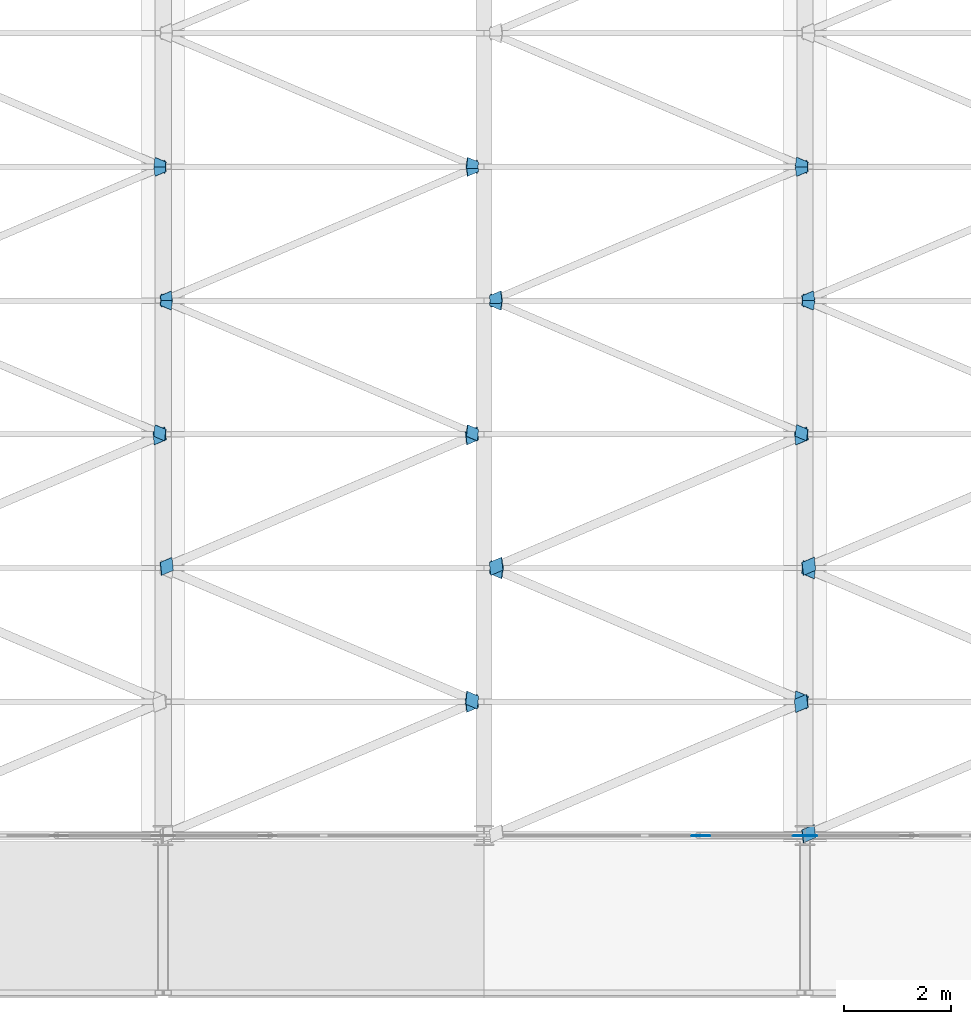
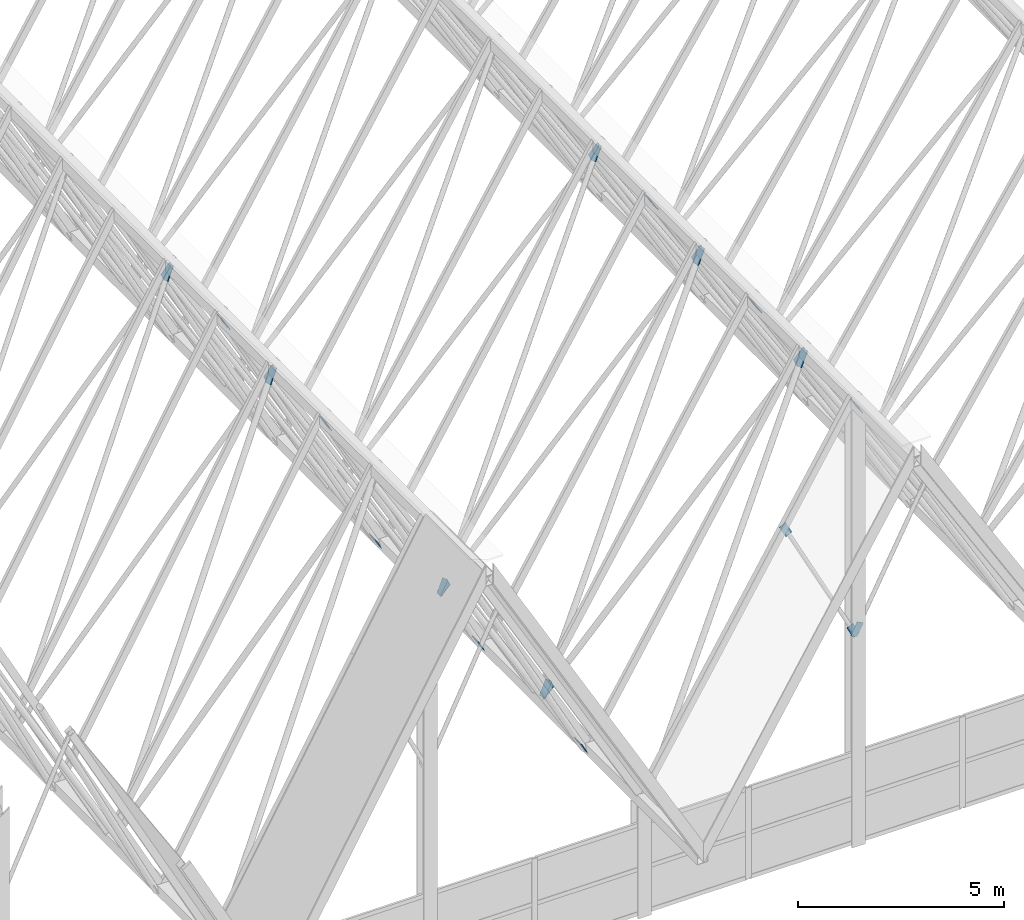
# One storey, part 414 of 483: 31 discrete accessories.
"""IFC4 building model written with IfcOpenShell, lengths in metres."""

from ifc_helpers import new_model, si_unit, direction, frame, origin, place, context, subcontext, project, spatial, polyline, outline, extrude, material, layer, layer_set, type_object, element, save


model = new_model("IFC4")

# Units and contexts
model_context = context("Model", 3, precision=1e-05, world=origin(), true_north=direction((0.0, 1.0)))
body_context = subcontext(model_context, "Body", "Model", "MODEL_VIEW")
ifc_project = project(units=[si_unit("LENGTHUNIT", "METRE"), si_unit("AREAUNIT", "SQUARE_METRE"), si_unit("VOLUMEUNIT", "CUBIC_METRE"), si_unit("PLANEANGLEUNIT", "RADIAN"), si_unit("MASSUNIT", "GRAM", prefix="KILO")], contexts=[model_context])

# Site, building, storey
site_placement = place(None, origin())
site = spatial("IfcSite", under=ifc_project, at=site_placement, CompositionType="ELEMENT")
building_placement = place(site_placement, origin())
building = spatial("IfcBuilding", under=site, at=building_placement, Name="Parallax Yard Mobility Hub", CompositionType="ELEMENT")
storey_placement = place(building_placement, frame((0.0, 0.0, 13.199951171875)))
storey = spatial("IfcBuildingStorey", under=building, at=storey_placement, Name="L04", CompositionType="ELEMENT", Elevation=13.199951171875)

# Discrete accessories
ifc_material = material(Name="Steel ASTM A36", Category="steel")
ifc_layer = layer(ifc_material, 0.011962890625)
ifc_layer_set = layer_set([ifc_layer], Name="Gusset plate PL12")
discrete_accessory_type = type_object("IfcDiscreteAccessoryType", Name="Gusset plate PL12", PredefinedType="BRACKET", material=ifc_layer_set)
discrete_accessory_1_placement = place(storey_placement, frame((32.681884765625, 9.80224609375, 3.704345703125), z_axis=(0.868822502561, 0.000185250571, 0.495123645897), x_axis=(0.484376883769, 0.206900299394, -0.850041940484)))
element("IfcDiscreteAccessory", 1, at=discrete_accessory_1_placement, inside=storey, type_object=discrete_accessory_type, Name="Gusset plate PL12 at end 2 of Plate diagonal plate F4-F5 bay 1", PredefinedType="BRACKET", context=body_context, shape_type="SweptSolid", body=[
    extrude(outline(polyline([(0.0, 0.0), (0.44839673081514386, 0.0), (0.4482620994656504, 0.24832096211860205), (-1.637527435451036e-05, 0.2482959136075356), (0.0, 0.0)])), origin(), (0.0, 0.0, -1.0), 0.011962890625),
])
for number, where, z_axis, x_axis, name in (
    (2, (38.826904296875, 9.798828125, 12.73095703125), (-0.854053749903, 5.621258e-06, 0.520184767409), (0.507763855086, 0.217231516163, 0.833658404776), "Gusset plate PL12 at end 2 of Plate diagonal plate F5-F6 bay 1"),
    (3, (39.173095703125, 7.701171875, 12.73095703125), (0.854053749903, -5.621258e-06, 0.520184767409), (-0.507763855086, -0.217231516163, 0.833658404776), "Gusset plate PL12 at end 1 of Plate diagonal plate F6-F7 bay 1"),
):
    element("IfcDiscreteAccessory", number, at=place(storey_placement, frame(where, z_axis=z_axis, x_axis=x_axis)), inside=storey, type_object=discrete_accessory_type, Name=name, PredefinedType="BRACKET", context=body_context, shape_type="SweptSolid", body=[
        extrude(outline(polyline([(0.0, 0.0), (0.44842530992587615, -1.3877787807814457e-17), (0.44856941932944777, 0.24833043859277817), (0.00026807518850466977, 0.24830285171790017), (0.0, 0.0)])), origin(), (0.0, 0.0, -1.0), 0.011962890625),
    ])
discrete_accessory_2_placement = place(storey_placement, frame((32.656494140625, 9.954833984375, 3.7490234375), z_axis=(0.868822502561, -0.000185250571, 0.495123645897), x_axis=(0.484371150093, -0.206954967124, -0.850031899719)))
element("IfcDiscreteAccessory", 4, at=discrete_accessory_2_placement, inside=storey, type_object=discrete_accessory_type, Name="Gusset plate PL12 at end 1 of Plate diagonal plate F4-F5 bay 2", PredefinedType="BRACKET", context=body_context, shape_type="SweptSolid", body=[
    extrude(outline(polyline([(0.0, 0.0), (0.44827847543982424, -1.3877787807814457e-17), (0.44839923132840964, 0.248320969253754), (2.501213269813507e-06, 0.24829591413491753), (0.0, 0.0)])), origin(), (0.0, 0.0, -1.0), 0.011962890625),
])
discrete_accessory_3_placement = place(storey_placement, frame((38.799072265625, 9.958740234375, 12.68505859375), z_axis=(-0.854053749903, -5.621258e-06, 0.520184767409), x_axis=(0.507756900761, -0.217291582721, 0.833646986324)))
element("IfcDiscreteAccessory", 5, at=discrete_accessory_3_placement, inside=storey, type_object=discrete_accessory_type, Name="Gusset plate PL12 at end 1 of Plate diagonal plate F5-F6 bay 2", PredefinedType="BRACKET", context=body_context, shape_type="SweptSolid", body=[
    extrude(outline(polyline([(0.0, 0.0), (0.4483013449897423, 0.0), (0.448141954211952, 0.24833042925461576), (-0.0002833548648902215, 0.24830283475137524), (0.0, 0.0)])), origin(), (0.0, 0.0, -1.0), 0.011962890625),
])
discrete_accessory_4_placement = place(storey_placement, frame((33.353515625, 12.541259765625, 3.7431640625), z_axis=(-0.85415450539, -0.000224511175, 0.520019259756), x_axis=(-0.507642916251, 0.217231608169, -0.833732030087)))
element("IfcDiscreteAccessory", 6, at=discrete_accessory_4_placement, inside=storey, type_object=discrete_accessory_type, Name="Gusset plate PL12 at end 2 of Plate diagonal plate F5-F6 bay 2", PredefinedType="BRACKET", context=body_context, shape_type="SweptSolid", body=[
    extrude(outline(polyline([(0.0, 0.0), (0.4484252906700077, 0.0), (0.4483607543485679, 0.24834819820577445), (-0.00014414792149744504, 0.24833040379893354), (0.0, 0.0)])), origin(), (0.0, 0.0, -1.0), 0.011962890625),
])
discrete_accessory_5_placement = place(storey_placement, frame((39.200927734375, 12.541259765625, 12.68505859375), z_axis=(0.854053749903, 5.621258e-06, 0.520184767409), x_axis=(-0.507756900761, 0.217291582721, 0.833646986324)))
element("IfcDiscreteAccessory", 7, at=discrete_accessory_5_placement, inside=storey, type_object=discrete_accessory_type, Name="Gusset plate PL12 at end 2 of Plate diagonal plate F6-F7 bay 2", PredefinedType="BRACKET", context=body_context, shape_type="SweptSolid", body=[
    extrude(outline(polyline([(0.0, 0.0), (0.4483013449897423, 0.0), (0.448141954211952, 0.24833042925461576), (-0.0002833548648902215, 0.24830283475137524), (0.0, 0.0)])), origin(), (0.0, 0.0, -1.0), 0.011962890625),
])
discrete_accessory_6_placement = place(storey_placement, frame((27.165771484375, 12.69775390625, 13.381103515625), z_axis=(0.868732169448, 0.000395523995, 0.495282001821), x_axis=(-0.484483992587, -0.206995986275, 0.849957600467)))
element("IfcDiscreteAccessory", 8, at=discrete_accessory_6_placement, inside=storey, type_object=discrete_accessory_type, Name="Gusset plate PL12 at end 1 of Plate diagonal plate F4-F5 bay 3", PredefinedType="BRACKET", context=body_context, shape_type="SweptSolid", body=[
    extrude(outline(polyline([(0.0, 0.0), (0.4481892297159951, 0.0), (0.448286374207487, 0.2482771369755293), (7.91753644304588e-06, 0.24829588084323018), (0.0, 0.0)])), origin(), (0.0, 0.0, -1.0), 0.011962890625),
])
discrete_accessory_7_placement = place(storey_placement, frame((32.681884765625, 14.80224609375, 3.704345703125), z_axis=(0.868822502561, 0.000185250571, 0.495123645897), x_axis=(0.484376883769, 0.206900299394, -0.850041940484)))
element("IfcDiscreteAccessory", 9, at=discrete_accessory_7_placement, inside=storey, type_object=discrete_accessory_type, Name="Gusset plate PL12 at end 2 of Plate diagonal plate F4-F5 bay 3", PredefinedType="BRACKET", context=body_context, shape_type="SweptSolid", body=[
    extrude(outline(polyline([(0.0, 0.0), (0.44839673081514386, 0.0), (0.4482620994656504, 0.24832096211860205), (-1.637527435451036e-05, 0.2482959136075356), (0.0, 0.0)])), origin(), (0.0, 0.0, -1.0), 0.011962890625),
])
discrete_accessory_8_placement = place(storey_placement, frame((33.325439453125, 12.701171875, 3.697265625), z_axis=(-0.85415450539, 0.000224511175, 0.520019259756), x_axis=(-0.50764739029, -0.217192880489, -0.833739395613)))
element("IfcDiscreteAccessory", 10, at=discrete_accessory_8_placement, inside=storey, type_object=discrete_accessory_type, Name="Gusset plate PL12 at end 1 of Plate diagonal plate F5-F6 bay 3", PredefinedType="BRACKET", context=body_context, shape_type="SweptSolid", body=[
    extrude(outline(polyline([(0.0, 0.0), (0.4485049026230614, 1.3877787807814457e-17), (0.4485595857436242, 0.24834820057078677), (0.00013429542654988524, 0.24833040932254563), (0.0, 0.0)])), origin(), (0.0, 0.0, -1.0), 0.011962890625),
])
for number, where, z_axis, x_axis, name in (
    (11, (38.826904296875, 14.798828125, 12.73095703125), (-0.854053749903, 5.621258e-06, 0.520184767409), (0.507763855086, 0.217231516163, 0.833658404776), "Gusset plate PL12 at end 2 of Plate diagonal plate F5-F6 bay 3"),
    (12, (39.173095703125, 12.701171875, 12.73095703125), (0.854053749903, -5.621258e-06, 0.520184767409), (-0.507763855086, -0.217231516163, 0.833658404776), "Gusset plate PL12 at end 1 of Plate diagonal plate F6-F7 bay 3"),
):
    element("IfcDiscreteAccessory", number, at=place(storey_placement, frame(where, z_axis=z_axis, x_axis=x_axis)), inside=storey, type_object=discrete_accessory_type, Name=name, PredefinedType="BRACKET", context=body_context, shape_type="SweptSolid", body=[
        extrude(outline(polyline([(0.0, 0.0), (0.44842530992587615, -1.3877787807814457e-17), (0.44856941932944777, 0.24833043859277817), (0.00026807518850466977, 0.24830285171790017), (0.0, 0.0)])), origin(), (0.0, 0.0, -1.0), 0.011962890625),
    ])
discrete_accessory_9_placement = place(storey_placement, frame((26.834228515625, 14.80224609375, 13.381103515625), z_axis=(-0.868732169448, -0.000395523995, 0.495282001821), x_axis=(0.484483992587, 0.206995986275, 0.849957600467)))
element("IfcDiscreteAccessory", 13, at=discrete_accessory_9_placement, inside=storey, type_object=discrete_accessory_type, Name="Gusset plate PL12 at end 2 of Plate diagonal plate F3-F4 bay 3", PredefinedType="BRACKET", context=body_context, shape_type="SweptSolid", body=[
    extrude(outline(polyline([(0.0, 0.0), (0.4481892297159951, 0.0), (0.448286374207487, 0.2482771369755293), (7.91753644304588e-06, 0.24829588084323018), (0.0, 0.0)])), origin(), (0.0, 0.0, -1.0), 0.011962890625),
])
discrete_accessory_10_placement = place(storey_placement, frame((32.671630859375, 14.962890625, 3.72216796875), z_axis=(0.868696794053, -0.000898687081, 0.495343388332), x_axis=(0.484454521055, -0.206988455494, -0.849976232798)))
element("IfcDiscreteAccessory", 14, at=discrete_accessory_10_placement, inside=storey, type_object=discrete_accessory_type, Name="Gusset plate PL12 at end 1 of Plate diagonal plate F4-F5 bay 4", PredefinedType="BRACKET", context=body_context, shape_type="SweptSolid", body=[
    extrude(outline(polyline([(0.0, 0.0), (0.4198983785511328, 1.3877787807814457e-17), (0.41983749063708, 0.21958679860225017), (0.00014662581465764435, 0.21963059128649676), (0.0, 0.0)])), origin(), (0.0, 0.0, -1.0), 0.011962890625),
])
discrete_accessory_11_placement = place(storey_placement, frame((27.17578125, 17.537109375, 13.36328125), z_axis=(0.868754580943, 0.000345341315, 0.495242727185), x_axis=(-0.484568892137, 0.207090666988, 0.84988613615)))
element("IfcDiscreteAccessory", 15, at=discrete_accessory_11_placement, inside=storey, type_object=discrete_accessory_type, Name="Gusset plate PL12 at end 2 of Plate diagonal plate F4-F5 bay 4", PredefinedType="BRACKET", context=body_context, shape_type="SweptSolid", body=[
    extrude(outline(polyline([(0.0, 0.0), (0.4196908714630526, 0.0), (0.4196962682363814, 0.21960554386399633), (5.3967733288293185e-06, 0.2196055438639963), (0.0, 0.0)])), origin(), (0.0, 0.0, -1.0), 0.011962890625),
])
discrete_accessory_12_placement = place(storey_placement, frame((38.815185546875, 14.966552734375, 12.711669921875), z_axis=(-0.854016692741, -0.000119683392, 0.52024559027), x_axis=(0.50787179366, -0.216994477704, 0.833654387532)))
element("IfcDiscreteAccessory", 16, at=discrete_accessory_12_placement, inside=storey, type_object=discrete_accessory_type, Name="Gusset plate PL12 at end 1 of Plate diagonal plate F5-F6 bay 4", PredefinedType="BRACKET", context=body_context, shape_type="SweptSolid", body=[
    extrude(outline(polyline([(0.0, 0.0), (0.41966253744663834, -1.3877787807814457e-17), (0.4194575882440381, 0.21954206328546932), (-0.00020494920260025196, 0.21954206328546932), (0.0, 0.0)])), origin(), (0.0, 0.0, -1.0), 0.011962890625),
])
discrete_accessory_13_placement = place(storey_placement, frame((33.33740234375, 17.533447265625, 3.716552734375), z_axis=(-0.854018875597, 0.000557720542, 0.520241721771), x_axis=(-0.507742563773, 0.21699439579, -0.833733123445)))
element("IfcDiscreteAccessory", 17, at=discrete_accessory_13_placement, inside=storey, type_object=discrete_accessory_type, Name="Gusset plate PL12 at end 2 of Plate diagonal plate F5-F6 bay 4", PredefinedType="BRACKET", context=body_context, shape_type="SweptSolid", body=[
    extrude(outline(polyline([(0.0, 0.0), (0.41966253264156217, 0.0), (0.41978511409084773, 0.219614864219578), (-8.096667655547313e-05, 0.21956968987108047), (0.0, 0.0)])), origin(), (0.0, 0.0, -1.0), 0.011962890625),
])
discrete_accessory_14_placement = place(storey_placement, frame((39.184814453125, 17.533447265625, 12.711669921875), z_axis=(0.854016692741, 0.000119683392, 0.52024559027), x_axis=(-0.50787179366, 0.216994477704, 0.833654387532)))
element("IfcDiscreteAccessory", 18, at=discrete_accessory_14_placement, inside=storey, type_object=discrete_accessory_type, Name="Gusset plate PL12 at end 2 of Plate diagonal plate F6-F7 bay 4", PredefinedType="BRACKET", context=body_context, shape_type="SweptSolid", body=[
    extrude(outline(polyline([(0.0, 0.0), (0.41966253744663834, -1.3877787807814457e-17), (0.4194575882440381, 0.21954206328546932), (-0.00020494920260025196, 0.21954206328546932), (0.0, 0.0)])), origin(), (0.0, 0.0, -1.0), 0.011962890625),
])
discrete_accessory_15_placement = place(storey_placement, frame((26.82421875, 14.962890625, 13.36328125), z_axis=(-0.868754580943, -0.000345341315, 0.495242727185), x_axis=(0.484568892137, -0.207090666988, 0.84988613615)))
element("IfcDiscreteAccessory", 19, at=discrete_accessory_15_placement, inside=storey, type_object=discrete_accessory_type, Name="Gusset plate PL12 at end 1 of Plate diagonal plate F3-F4 bay 4", PredefinedType="BRACKET", context=body_context, shape_type="SweptSolid", body=[
    extrude(outline(polyline([(0.0, 0.0), (0.4196908714630526, 0.0), (0.4196962682363814, 0.21960554386399633), (5.3967733288293185e-06, 0.2196055438639963), (0.0, 0.0)])), origin(), (0.0, 0.0, -1.0), 0.011962890625),
])
discrete_accessory_16_placement = place(storey_placement, frame((27.1533203125, 17.677734375, 13.40283203125), z_axis=(0.868754580943, -0.000345341315, 0.495242727185), x_axis=(-0.484568892137, -0.207090666988, 0.84988613615)))
element("IfcDiscreteAccessory", 20, at=discrete_accessory_16_placement, inside=storey, type_object=discrete_accessory_type, Name="Gusset plate PL12 at end 1 of Plate diagonal plate F4-F5 bay 5", PredefinedType="BRACKET", context=body_context, shape_type="SweptSolid", body=[
    extrude(outline(polyline([(0.0, 0.0), (0.4196908714630526, 0.0), (0.4196854746897237, 0.2196055438639963), (-5.3967733288293185e-06, 0.2196055438639963), (0.0, 0.0)])), origin(), (0.0, 0.0, -1.0), 0.011962890625),
])
discrete_accessory_17_placement = place(storey_placement, frame((32.6943359375, 19.822265625, 3.6826171875), z_axis=(0.868696794053, 0.000898687081, 0.495343388332), x_axis=(0.484443740172, 0.207090539659, -0.849957511286)))
element("IfcDiscreteAccessory", 21, at=discrete_accessory_17_placement, inside=storey, type_object=discrete_accessory_type, Name="Gusset plate PL12 at end 2 of Plate diagonal plate F4-F5 bay 5", PredefinedType="BRACKET", context=body_context, shape_type="SweptSolid", body=[
    extrude(outline(polyline([(0.0, 0.0), (0.41969086710719833, 1.3877787807814457e-17), (0.4197746678267241, 0.21958679105347548), (-0.00012370843850314367, 0.21963060539052376), (0.0, 0.0)])), origin(), (0.0, 0.0, -1.0), 0.011962890625),
])
discrete_accessory_18_placement = place(storey_placement, frame((33.3125, 17.680908203125, 3.676025390625), z_axis=(-0.854018875597, -0.000557720542, 0.520241721771), x_axis=(-0.507754756906, -0.21688936589, -0.833753026863)))
element("IfcDiscreteAccessory", 22, at=discrete_accessory_18_placement, inside=storey, type_object=discrete_accessory_type, Name="Gusset plate PL12 at end 1 of Plate diagonal plate F5-F6 bay 5", PredefinedType="BRACKET", context=body_context, shape_type="SweptSolid", body=[
    extrude(outline(polyline([(0.0, 0.0), (0.41986608319760876, -1.3877787807814457e-17), (0.41971987288542956, 0.219614849759619), (5.7342672894721e-05, 0.21956969731158954), (0.0, 0.0)])), origin(), (0.0, 0.0, -1.0), 0.011962890625),
])
for number, where, z_axis, x_axis, name in (
    (23, (38.83984375, 19.819091796875, 12.752197265625), (-0.854016692741, 0.000119683392, 0.52024559027), (0.50787179366, 0.216994477704, 0.833654387532), "Gusset plate PL12 at end 2 of Plate diagonal plate F5-F6 bay 5"),
    (24, (39.16015625, 17.680908203125, 12.752197265625), (0.854016692741, -0.000119683392, 0.52024559027), (-0.50787179366, -0.216994477704, 0.833654387532), "Gusset plate PL12 at end 1 of Plate diagonal plate F6-F7 bay 5"),
):
    element("IfcDiscreteAccessory", number, at=place(storey_placement, frame(where, z_axis=z_axis, x_axis=x_axis)), inside=storey, type_object=discrete_accessory_type, Name=name, PredefinedType="BRACKET", context=body_context, shape_type="SweptSolid", body=[
        extrude(outline(polyline([(0.0, 0.0), (0.41966253744663834, 1.3877787807814457e-17), (0.41986748664923856, 0.21954206328546938), (0.00020494920260025196, 0.21954206328546932), (0.0, 0.0)])), origin(), (0.0, 0.0, -1.0), 0.011962890625),
    ])
discrete_accessory_19_placement = place(storey_placement, frame((26.8466796875, 19.822265625, 13.40283203125), z_axis=(-0.868754580943, 0.000345341315, 0.495242727185), x_axis=(0.484568892137, 0.207090666988, 0.84988613615)))
element("IfcDiscreteAccessory", 25, at=discrete_accessory_19_placement, inside=storey, type_object=discrete_accessory_type, Name="Gusset plate PL12 at end 2 of Plate diagonal plate F3-F4 bay 5", PredefinedType="BRACKET", context=body_context, shape_type="SweptSolid", body=[
    extrude(outline(polyline([(0.0, 0.0), (0.4196908714630526, 0.0), (0.4196854746897237, 0.2196055438639963), (-5.3967733288293185e-06, 0.2196055438639963), (0.0, 0.0)])), origin(), (0.0, 0.0, -1.0), 0.011962890625),
])
discrete_accessory_20_placement = place(storey_placement, frame((32.671630859375, 19.962890625, 3.72216796875), z_axis=(0.868696794053, -0.000898687081, 0.495343388332), x_axis=(0.484454521055, -0.206988455494, -0.849976232798)))
element("IfcDiscreteAccessory", 26, at=discrete_accessory_20_placement, inside=storey, type_object=discrete_accessory_type, Name="Gusset plate PL12 at end 1 of Plate diagonal plate F4-F5 bay 6", PredefinedType="BRACKET", context=body_context, shape_type="SweptSolid", body=[
    extrude(outline(polyline([(0.0, 0.0), (0.4198983785511328, 1.3877787807814457e-17), (0.41983749063708, 0.21958679860225017), (0.00014662581465764435, 0.21963059128649676), (0.0, 0.0)])), origin(), (0.0, 0.0, -1.0), 0.011962890625),
])
discrete_accessory_21_placement = place(storey_placement, frame((38.815185546875, 19.966552734375, 12.711669921875), z_axis=(-0.854016692741, -0.000119683392, 0.52024559027), x_axis=(0.50787179366, -0.216994477704, 0.833654387532)))
element("IfcDiscreteAccessory", 27, at=discrete_accessory_21_placement, inside=storey, type_object=discrete_accessory_type, Name="Gusset plate PL12 at end 1 of Plate diagonal plate F5-F6 bay 6", PredefinedType="BRACKET", context=body_context, shape_type="SweptSolid", body=[
    extrude(outline(polyline([(0.0, 0.0), (0.41966253744663834, -1.3877787807814457e-17), (0.4194575882440381, 0.21954206328546932), (-0.00020494920260025196, 0.21954206328546932), (0.0, 0.0)])), origin(), (0.0, 0.0, -1.0), 0.011962890625),
])
discrete_accessory_22_placement = place(storey_placement, frame((26.82421875, 19.962890625, 13.36328125), z_axis=(-0.868754580943, -0.000345341315, 0.495242727185), x_axis=(0.484568892137, -0.207090666988, 0.84988613615)))
element("IfcDiscreteAccessory", 28, at=discrete_accessory_22_placement, inside=storey, type_object=discrete_accessory_type, Name="Gusset plate PL12 at end 1 of Plate diagonal plate F3-F4 bay 6", PredefinedType="BRACKET", context=body_context, shape_type="SweptSolid", body=[
    extrude(outline(polyline([(0.0, 0.0), (0.4196908714630526, 0.0), (0.4196962682363814, 0.21960554386399633), (5.3967733288293185e-06, 0.2196055438639963), (0.0, 0.0)])), origin(), (0.0, 0.0, -1.0), 0.011962890625),
])
for number, where, z_axis, x_axis, name in (
    (29, (38.941650390625, 7.5, 6.52392578125), (0.0, 1.0, 0.0), (0.460046045326, 0.0, -0.887895059216), "Gusset plate PL12 at end 1 of Gable knee brace F6 south west"),
    (30, (37.058349609375, 7.5, 9.73681640625), (0.0, 1.0, 0.0), (-0.460046045326, 0.0, 0.887895059216), "Gusset plate PL12 at end 2 of Gable knee brace F6 south west"),
):
    element("IfcDiscreteAccessory", number, at=place(storey_placement, frame(where, z_axis=z_axis, x_axis=x_axis)), inside=storey, type_object=discrete_accessory_type, Name=name, PredefinedType="BRACKET", context=body_context, shape_type="SweptSolid", body=[
        extrude(outline(polyline([(0.0, 0.0), (0.39430071450018045, 0.0), (0.39423163188972443, 0.19436490709348586), (4.323331857861157e-05, 0.19414813583879448), (0.0, 0.0)])), origin(), (0.0, 0.0, -1.0), 0.011962890625),
    ])
discrete_accessory_23_placement = place(storey_placement, frame((39.230712890625, 7.5, 6.4345703125), z_axis=(0.0, 1.0, 0.0), x_axis=(-0.459557706456, 0.0, -0.888147912477)))
element("IfcDiscreteAccessory", 31, at=discrete_accessory_23_placement, inside=storey, type_object=discrete_accessory_type, Name="Gusset plate PL12 at end 1 of Gable knee brace F6 south east", PredefinedType="BRACKET", context=body_context, shape_type="SweptSolid", body=[
    extrude(outline(polyline([(0.0, 0.0), (0.3941884581743374, 0.0), (0.39415065604978294, 0.19436491569433473), (-0.00014999883023220084, 0.1941480827078902), (0.0, 0.0)])), origin(), (0.0, 0.0, -1.0), 0.011962890625),
])

save(model, "model.ifc")
